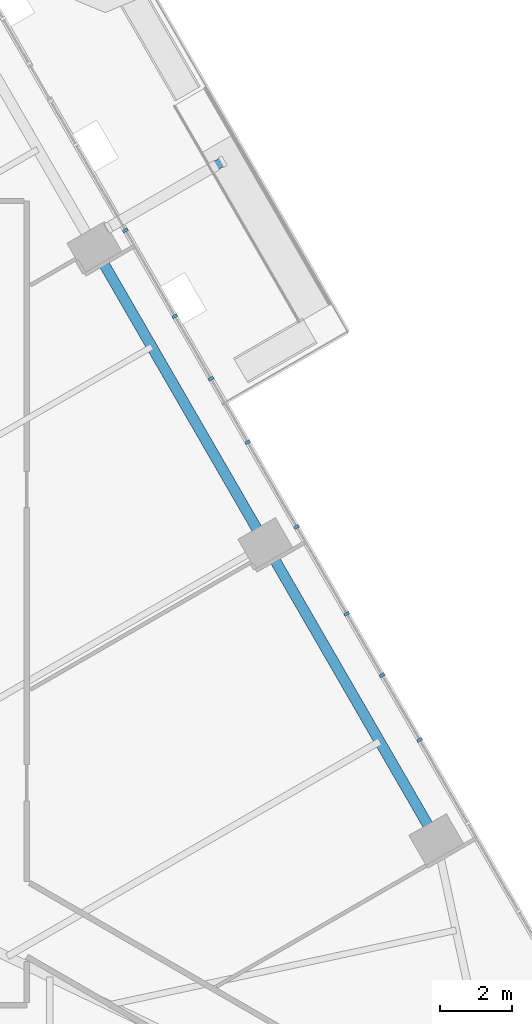
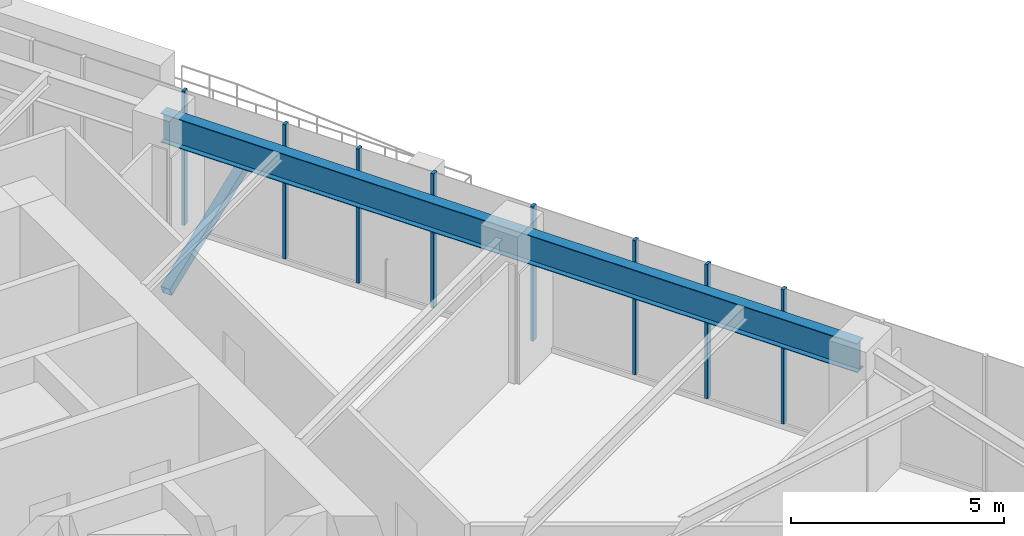
# One storey, part 8 of 25: 9 members, 1 beam, 1 element without a shape of its own.
"""IFC4 building model written with IfcOpenShell, lengths in metres."""

import ifcopenshell
import ifcopenshell.guid

model = None  # the IFC model being written
_history = None  # IfcOwnerHistory: only IFC2X3 demands one
_inside = {}  # id of a spatial element -> (the spatial element, [elements in it])
_under = {}  # id of a project, library or spatial element -> (it, [spatial elements below it])
_declared = {}  # id of a project -> (the project, [libraries it declares])
_typed = {}  # id of a type object -> (the type object, [elements of that type])
_made_of = {}  # id of a material, layer set ... -> (it, [elements and type objects made of it])


def new_model(schema):
    """Start an empty IFC model of exactly this schema.

    Asked for "IFC4X3", IfcOpenShell would pick the latest addendum, in which some entities
    have other attributes; the version numbers below select the first issue.
    IFC2X3 requires an IfcOwnerHistory on every rooted entity: one is made here for all.
    """
    global model, _history
    if schema == "IFC4X3":
        model = ifcopenshell.file(schema_version=(4, 3, 0, 0))
    else:
        model = ifcopenshell.file(schema=schema)
    _inside.clear()
    _under.clear()
    _declared.clear()
    _typed.clear()
    _made_of.clear()
    _history = None
    if model.schema == "IFC2X3":
        org = make("IfcOrganization", Name="unknown")
        user = make(
            "IfcPersonAndOrganization",
            ThePerson=make("IfcPerson", FamilyName="unknown"),
            TheOrganization=org,
        )
        app = make(
            "IfcApplication",
            ApplicationDeveloper=org,
            Version="unknown",
            ApplicationFullName="unknown",
            ApplicationIdentifier="unknown",
        )
        _history = make(
            "IfcOwnerHistory",
            OwningUser=user,
            OwningApplication=app,
            ChangeAction="ADDED",
            CreationDate=0,
        )
    return model


def make(cls, **values):
    """One entity of the class cls with the attributes given. An attribute that is None is left unset."""
    return model.create_entity(
        cls, **{name: value for name, value in values.items() if value is not None}
    )


def rooted(cls, **values):
    """An entity with a GlobalId (a new one), such as an element, a storey or a relation."""
    return make(cls, GlobalId=ifcopenshell.guid.new(), OwnerHistory=_history, **values)


def si_unit(unit_type, name, prefix=None):
    """IfcSIUnit, for example si_unit("LENGTHUNIT", "METRE", prefix="MILLI")."""
    return make("IfcSIUnit", UnitType=unit_type, Prefix=prefix, Name=name)


def assignment(units):
    """IfcUnitAssignment: the units of a project."""
    return None if units is None else make("IfcUnitAssignment", Units=units)


def point(xyz):
    """IfcCartesianPoint."""
    return None if xyz is None else make("IfcCartesianPoint", Coordinates=xyz)


def direction(xyz):
    """IfcDirection."""
    return None if xyz is None else make("IfcDirection", DirectionRatios=xyz)


def frame(location, z_axis=None, x_axis=None):
    """IfcAxis2Placement3D, a coordinate frame: its origin and axes. An axis left out is left unset."""
    return make(
        "IfcAxis2Placement3D",
        Location=point(location),
        Axis=direction(z_axis),
        RefDirection=direction(x_axis),
    )


def frame_2d(location, x_axis=None):
    """IfcAxis2Placement2D, a coordinate frame in the plane: its origin and x axis."""
    return make(
        "IfcAxis2Placement2D", Location=point(location), RefDirection=direction(x_axis)
    )


def origin():
    """The frame at (0, 0, 0) with its axes left unset."""
    return frame((0.0, 0.0, 0.0))


def origin_2d():
    """The frame at (0, 0) in the plane with its x axis left unset."""
    return frame_2d((0.0, 0.0))


def place(relative_to, where):
    """IfcLocalPlacement: puts the frame where relative to a parent placement (None: the world)."""
    return make(
        "IfcLocalPlacement", PlacementRelTo=relative_to, RelativePlacement=where
    )


def context(
    kind, dimensions, precision=None, world=None, true_north=None, identifier=None
):
    """IfcGeometricRepresentationContext, for example the 3D "Model" context."""
    return make(
        "IfcGeometricRepresentationContext",
        ContextIdentifier=identifier,
        ContextType=kind,
        CoordinateSpaceDimension=dimensions,
        Precision=precision,
        WorldCoordinateSystem=world,
        TrueNorth=true_north,
    )


def subcontext(parent, identifier, kind, view, scale=None):
    """IfcGeometricRepresentationSubContext, for example "Body" below "Model"."""
    return make(
        "IfcGeometricRepresentationSubContext",
        ContextIdentifier=identifier,
        ContextType=kind,
        ParentContext=parent,
        TargetScale=scale,
        TargetView=view,
    )


def project(units=None, contexts=None):
    """IfcProject with its units and contexts."""
    return rooted(
        "IfcProject",
        Name="project",
        RepresentationContexts=contexts,
        UnitsInContext=assignment(units),
    )


def spatial(cls, under=None, at=None, **own):
    """A site, building, storey or space (cls), placed at a placement, below another one or the project."""
    s = rooted(cls, ObjectPlacement=at, **own)
    if under is not None:
        _under.setdefault(under.id(), (under, []))[1].append(s)
    return s


def profile(cls, at=None, kind="AREA", **sizes):
    """A parametric profile (cls). Its sizes go by their IFC names, for example OverallWidth=200.0."""
    return make(cls, ProfileType=kind, Position=at, **sizes)


def rectangle(**sizes):
    """IfcRectangleProfileDef."""
    return profile("IfcRectangleProfileDef", **sizes)


def hollow_rectangle(**sizes):
    """IfcRectangleHollowProfileDef."""
    return profile("IfcRectangleHollowProfileDef", **sizes)


def i_section(**sizes):
    """IfcIShapeProfileDef."""
    return profile("IfcIShapeProfileDef", **sizes)


def extrude(swept, where, along, depth):
    """IfcExtrudedAreaSolid: the profile swept, set in the frame where, extruded along a direction by depth."""
    return make(
        "IfcExtrudedAreaSolid",
        SweptArea=swept,
        Position=where,
        ExtrudedDirection=direction(along),
        Depth=depth,
    )


def shape(context_of_items, identifier, shape_type, items):
    """IfcShapeRepresentation: the items that make up one representation, for example the "Body"."""
    return make(
        "IfcShapeRepresentation",
        ContextOfItems=context_of_items,
        RepresentationIdentifier=identifier,
        RepresentationType=shape_type,
        Items=items,
    )


def material(Name=None, Category=None):
    """IfcMaterial."""
    return make("IfcMaterial", Name=Name, Category=Category)


def layer(
    of_material, thickness, ventilated=None, Name=None, Category=None, Priority=None
):
    """IfcMaterialLayer: one layer of a wall or slab, of a material (None: an air gap)."""
    return make(
        "IfcMaterialLayer",
        Material=of_material,
        LayerThickness=thickness,
        IsVentilated=ventilated,
        Name=Name,
        Category=Category,
        Priority=Priority,
    )


def layer_set(layers, Name=None):
    """IfcMaterialLayerSet."""
    return make("IfcMaterialLayerSet", MaterialLayers=layers, LayerSetName=Name)


def material_profile(
    of_material, cross_section, Name=None, Category=None, Priority=None
):
    """IfcMaterialProfile: a cross section and its material."""
    return make(
        "IfcMaterialProfile",
        Name=Name,
        Material=of_material,
        Profile=cross_section,
        Priority=Priority,
        Category=Category,
    )


def profile_set(profiles, Name=None, composite=None):
    """IfcMaterialProfileSet."""
    return make(
        "IfcMaterialProfileSet",
        Name=Name,
        MaterialProfiles=profiles,
        CompositeProfile=composite,
    )


def made_of(thing, what):
    """Note that an element or type object is made of a material, layer set ...; save() writes the relation."""
    if what is not None:
        _made_of.setdefault(what.id(), (what, []))[1].append(thing)
    return thing


def type_object(cls, material=None, **own):
    """A type object (cls), such as IfcWallType, which elements share."""
    return made_of(rooted(cls, **own), material)


def element(
    cls,
    number,
    at=None,
    inside=None,
    cuts=None,
    type_object=None,
    material=None,
    context=None,
    identifier="Body",
    shape_type=None,
    held_by="IfcProductDefinitionShape",
    body=None,
    shapes=None,
    **own,
):
    """One element of the class cls, such as IfcWall. Its Tag is "e" and its number.

    at: its placement. inside: the storey or other place that contains it. cuts: it is an
    opening in that element (IfcRelVoidsElement). A single representation is given by context,
    identifier, shape_type and body (its items); several are given by shapes. held_by: the class
    of the entity that holds the representations. save() writes the other relations.
    """
    e = rooted(cls, Tag="e%d" % number, ObjectPlacement=at, **own)
    if body is not None:
        shapes = [shape(context, identifier, shape_type, body)]
    if shapes is not None:
        e.Representation = make(held_by, Representations=shapes)
    if inside is not None:
        _inside.setdefault(inside.id(), (inside, []))[1].append(e)
    if cuts is not None:
        rooted(
            "IfcRelVoidsElement", RelatingBuildingElement=cuts, RelatedOpeningElement=e
        )
    if type_object is not None:
        _typed.setdefault(type_object.id(), (type_object, []))[1].append(e)
    return made_of(e, material)


def aggregate(whole, parts):
    """IfcRelAggregates: a whole, such as a stair, and the parts it consists of."""
    return rooted("IfcRelAggregates", RelatingObject=whole, RelatedObjects=parts)


def save(model, path):
    """Write the relations noted so far, then the file.

    IfcRelAggregates (storeys below a building ...), IfcRelContainedInSpatialStructure (elements
    in a storey), IfcRelDefinesByType, IfcRelAssociatesMaterial and IfcRelDeclares: one each for
    every whole, place, type object, material and project.
    """
    for whole, parts in _under.values():
        aggregate(whole, parts)
    for where, things in _inside.values():
        rooted(
            "IfcRelContainedInSpatialStructure",
            RelatedElements=things,
            RelatingStructure=where,
        )
    for kind, things in _typed.values():
        rooted("IfcRelDefinesByType", RelatedObjects=things, RelatingType=kind)
    for what, things in _made_of.values():
        rooted("IfcRelAssociatesMaterial", RelatedObjects=things, RelatingMaterial=what)
    for by, libraries in _declared.values():
        rooted("IfcRelDeclares", RelatingContext=by, RelatedDefinitions=libraries)
    model.write(path)


model = new_model("IFC4")

# Units and contexts
model_context = context("Model", 3, precision=1e-05, world=origin(), true_north=direction((0.0, 1.0)))
body_context = subcontext(model_context, "Body", "Model", "MODEL_VIEW")
ifc_project = project(units=[si_unit("LENGTHUNIT", "METRE"), si_unit("AREAUNIT", "SQUARE_METRE"), si_unit("VOLUMEUNIT", "CUBIC_METRE"), si_unit("PLANEANGLEUNIT", "RADIAN"), si_unit("MASSUNIT", "GRAM", prefix="KILO")], contexts=[model_context])

# Site, building, storey
site_placement = place(None, origin())
site = spatial("IfcSite", under=ifc_project, at=site_placement, CompositionType="ELEMENT")
building_placement = place(site_placement, origin())
building = spatial("IfcBuilding", under=site, at=building_placement, Name="Firuza Gate Tower and Library", CompositionType="ELEMENT")
storey_placement = place(building_placement, frame((0.0, 0.0, 86.199951171875)))
storey = spatial("IfcBuildingStorey", under=building, at=storey_placement, Name="L19", CompositionType="ELEMENT", Elevation=86.199951171875)

# Curtain wall, members
ifc_material_1 = material(Name="Aluminium 6063-T6", Category="aluminium")
ifc_layer = layer(ifc_material_1, 0.14990234375)
ifc_layer_set = layer_set([ifc_layer], Name="Unitised curtain wall, offices")
curtain_wall_type = type_object("IfcCurtainWallType", Name="Unitised curtain wall, offices", PredefinedType="NOTDEFINED", material=ifc_layer_set)
curtain_wall_placement = place(storey_placement, origin())
curtain_wall = element("IfcCurtainWall", 1, at=curtain_wall_placement, inside=storey, type_object=curtain_wall_type, Name="CW1 L19 E face", PredefinedType="NOTDEFINED")
ifc_material_2 = material(Name="Aluminium 6063-T6", Category="aluminium")
ifc_material_profile_1 = material_profile(ifc_material_2, rectangle(XDim=0.14990234375, YDim=0.080078125, at=origin_2d()))
ifc_profile_set_1 = profile_set([ifc_material_profile_1], Name="Aluminium 6063-T6")
member_type_1 = type_object("IfcMemberType", Name="Curtain wall mullion 80x150", PredefinedType="MULLION", material=ifc_profile_set_1)
member_1_placement = place(storey_placement, frame((99.906982421875, 73.01123046875, 0.150146484375), z_axis=(0.0, 0.0, 1.0), x_axis=(-0.866025403784, -0.5, 0.0)))
member_1 = element("IfcMember", 2, at=member_1_placement, type_object=member_type_1, Name="Mullion", PredefinedType="MULLION", context=body_context, shape_type="SweptSolid", body=[
    extrude(rectangle(XDim=0.14990234375, YDim=0.080078125, at=origin_2d()), origin(), (0.0, 0.0, 1.0), 3.849853515625),
])
member_2_placement = place(storey_placement, frame((97.54443359375, 77.103515625, 0.150146484375), z_axis=(0.0, 0.0, 1.0), x_axis=(-0.866025403784, -0.5, 0.0)))
member_2 = element("IfcMember", 3, at=member_2_placement, type_object=member_type_1, Name="Mullion", PredefinedType="MULLION", context=body_context, shape_type="SweptSolid", body=[
    extrude(rectangle(XDim=0.14990234375, YDim=0.080078125, at=origin_2d()), origin(), (0.0, 0.0, 1.0), 3.849853515625),
])
member_3_placement = place(storey_placement, frame((95.181884765625, 81.19580078125, 0.150146484375), z_axis=(0.0, 0.0, 1.0), x_axis=(-0.866025403784, -0.5, 0.0)))
member_3 = element("IfcMember", 4, at=member_3_placement, type_object=member_type_1, Name="Mullion", PredefinedType="MULLION", context=body_context, shape_type="SweptSolid", body=[
    extrude(rectangle(XDim=0.14990234375, YDim=0.080078125, at=origin_2d()), origin(), (0.0, 0.0, 1.0), 3.849853515625),
])
member_4_placement = place(storey_placement, frame((92.819091796875, 85.287841796875, 0.150146484375), z_axis=(0.0, 0.0, 1.0), x_axis=(-0.866025403784, -0.5, 0.0)))
member_4 = element("IfcMember", 5, at=member_4_placement, type_object=member_type_1, Name="Mullion", PredefinedType="MULLION", context=body_context, shape_type="SweptSolid", body=[
    extrude(rectangle(XDim=0.14990234375, YDim=0.080078125, at=origin_2d()), origin(), (0.0, 0.0, 1.0), 3.849853515625),
])
member_5_placement = place(storey_placement, frame((100.937744140625, 71.226318359375, 0.150146484375), z_axis=(0.0, 0.0, 1.0), x_axis=(-0.866025403784, -0.5, 0.0)))
member_5 = element("IfcMember", 6, at=member_5_placement, type_object=member_type_1, Name="Mullion", PredefinedType="MULLION", context=body_context, shape_type="SweptSolid", body=[
    extrude(rectangle(XDim=0.14990234375, YDim=0.080078125, at=origin_2d()), origin(), (0.0, 0.0, 1.0), 3.849853515625),
])
member_6_placement = place(storey_placement, frame((98.9287109375, 74.7060546875, 0.150146484375), z_axis=(0.0, 0.0, 1.0), x_axis=(-0.866025403784, -0.5, 0.0)))
member_6 = element("IfcMember", 7, at=member_6_placement, type_object=member_type_1, Name="Mullion", PredefinedType="MULLION", context=body_context, shape_type="SweptSolid", body=[
    extrude(rectangle(XDim=0.14990234375, YDim=0.080078125, at=origin_2d()), origin(), (0.0, 0.0, 1.0), 3.849853515625),
])
member_7_placement = place(storey_placement, frame((96.195068359375, 79.440673828125, 0.150146484375), z_axis=(0.0, 0.0, 1.0), x_axis=(-0.866025403784, -0.5, 0.0)))
member_7 = element("IfcMember", 8, at=member_7_placement, type_object=member_type_1, Name="Mullion", PredefinedType="MULLION", context=body_context, shape_type="SweptSolid", body=[
    extrude(rectangle(XDim=0.14990234375, YDim=0.080078125, at=origin_2d()), origin(), (0.0, 0.0, 1.0), 3.849853515625),
])
member_8_placement = place(storey_placement, frame((94.18603515625, 82.920654296875, 0.150146484375), z_axis=(0.0, 0.0, 1.0), x_axis=(-0.866025403784, -0.5, 0.0)))
member_8 = element("IfcMember", 9, at=member_8_placement, type_object=member_type_1, Name="Mullion", PredefinedType="MULLION", context=body_context, shape_type="SweptSolid", body=[
    extrude(rectangle(XDim=0.14990234375, YDim=0.080078125, at=origin_2d()), origin(), (0.0, 0.0, 1.0), 3.849853515625),
])
aggregate(curtain_wall, [member_1, member_2, member_3, member_4, member_5, member_6, member_7, member_8])

# Member
ifc_material_3 = material(Name="Steel S355", Category="steel")
ifc_material_profile_2 = material_profile(ifc_material_3, hollow_rectangle(XDim=0.25390625, YDim=0.25390625, WallThickness=0.01171875, at=origin_2d()))
ifc_profile_set_2 = profile_set([ifc_material_profile_2], Name="Steel S355")
member_type_2 = type_object("IfcMemberType", Name="HSS254x254x13 Tray strut", PredefinedType="BRACE", material=ifc_profile_set_2)
member_9_placement = place(storey_placement, frame((92.374755859375, 85.377685546875, -1.669921875), z_axis=(0.807140949077, 0.466018027999, 0.362423351763), x_axis=(-0.500012057535, 0.866018442252, 0.0)))
element("IfcMember", 10, at=member_9_placement, inside=storey, type_object=member_type_2, Name="Tray strut L19 col:L18:E3", PredefinedType="BRACE", context=body_context, shape_type="SweptSolid", body=[
    extrude(hollow_rectangle(XDim=0.25390625, YDim=0.25390625, WallThickness=0.01171875, at=origin_2d()), origin(), (0.0, 0.0, 1.0), 3.862548828125),
])

# Beam
ifc_material_4 = material(Name="Steel S355", Category="steel")
ifc_material_profile_3 = material_profile(ifc_material_4, i_section(OverallWidth=0.2919921875, OverallDepth=0.8349609375, WebThickness=0.013916015625, FlangeThickness=0.018798828125, at=origin_2d()))
ifc_profile_set_3 = profile_set([ifc_material_profile_3], Name="Steel S355")
beam_type = type_object("IfcBeamType", Name="W840x176 Edge beam", PredefinedType="SPANDREL", material=ifc_profile_set_3)
beam_placement = place(storey_placement, frame((101.410888671875, 68.45654296875, 3.58251953125), z_axis=(-0.499998676387, 0.866026167971, 0.0), x_axis=(-0.866026167971, -0.499998676387, 0.0)))
element("IfcBeam", 11, at=beam_placement, inside=storey, type_object=beam_type, Name="Edge beam L19 e50", PredefinedType="SPANDREL", context=body_context, shape_type="SweptSolid", body=[
    extrude(i_section(OverallWidth=0.2919921875, OverallDepth=0.8349609375, WebThickness=0.013916015625, FlangeThickness=0.018798828125, at=origin_2d()), origin(), (0.0, 0.0, 1.0), 18.8720703125),
])

save(model, "model.ifc")
